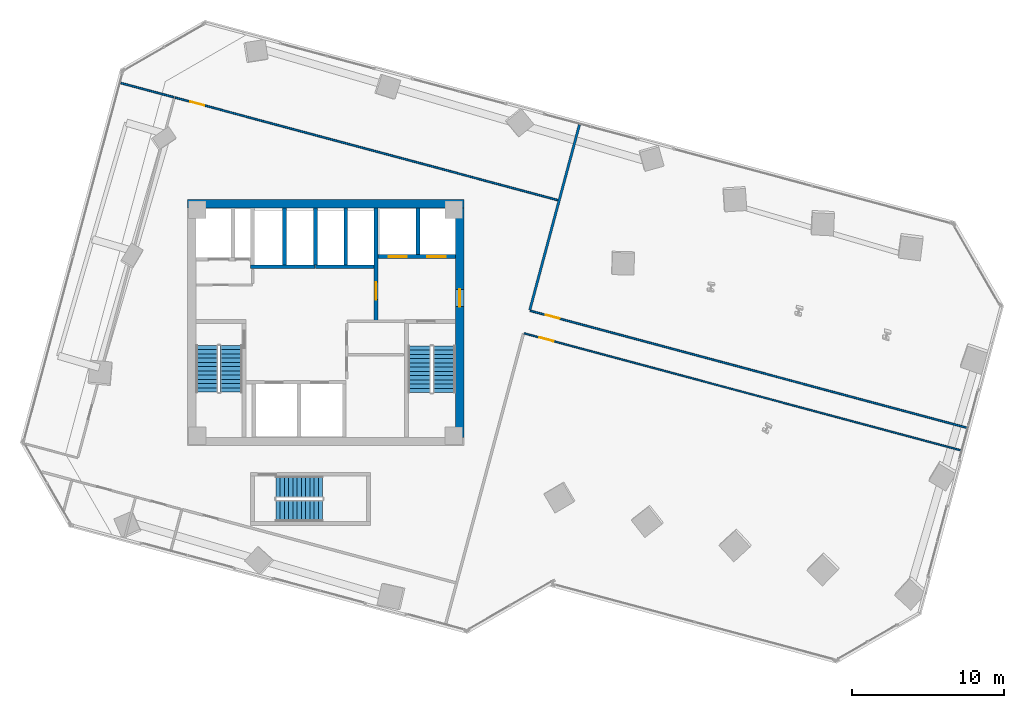
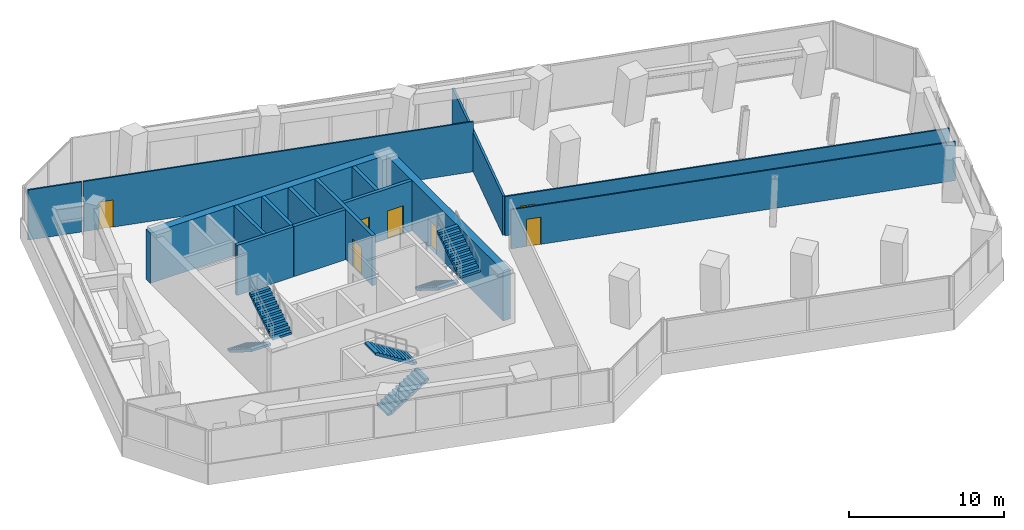
# One storey, part 21 of 26: 15 walls, 7 doors, 6 stair flights, 7 openings, 3 elements without a shape of their own.
"""IFC4 building model written with IfcOpenShell, lengths in metres."""

from ifc_helpers import new_model, si_unit, direction, frame, frame_2d, origin, place, context, subcontext, project, spatial, polyline, rectangle, outline, extrude, source, transform, mapped, material, layer, layer_set, type_object, element, fill, aggregate, save


model = new_model("IFC4")

# Units and contexts
model_context = context("Model", 3, precision=1e-05, world=origin(), true_north=direction((0.0, 1.0)))
body_context = subcontext(model_context, "Body", "Model", "MODEL_VIEW")
ifc_project = project(units=[si_unit("LENGTHUNIT", "METRE"), si_unit("AREAUNIT", "SQUARE_METRE"), si_unit("VOLUMEUNIT", "CUBIC_METRE"), si_unit("PLANEANGLEUNIT", "RADIAN"), si_unit("MASSUNIT", "GRAM", prefix="KILO")], contexts=[model_context])

# Site, building, storey
site_placement = place(None, origin())
site = spatial("IfcSite", under=ifc_project, at=site_placement, CompositionType="ELEMENT")
building_placement = place(site_placement, origin())
building = spatial("IfcBuilding", under=site, at=building_placement, Name="Torre Montelarca", CompositionType="ELEMENT")
storey_placement = place(building_placement, frame((0.0, 0.0, 104.199951171875)))
storey = spatial("IfcBuildingStorey", under=building, at=storey_placement, Name="L23", CompositionType="ELEMENT", Elevation=104.199951171875)

# Wall, opening, door
ifc_material_1 = material(Name="Concrete C40/50", Category="concrete")
ifc_layer_1 = layer(ifc_material_1, 0.25, Name="Concrete C40/50", Category="concrete")
ifc_layer_set_1 = layer_set([ifc_layer_1], Name="Concrete C40/50")
wall_type_1 = type_object("IfcWallType", Name="CW-SHAFT-250", PredefinedType="SHEAR", material=ifc_layer_set_1)
wall_1_placement = place(storey_placement, frame((21.320068359375, 32.1201171875, 0.0), z_axis=(0.0, 0.0, 1.0), x_axis=(0.0, 1.0, 0.0)))
wall_1 = element("IfcWall", 1, at=wall_1_placement, inside=storey, type_object=wall_type_1, Name="L23 Core Shear Wall SH-FFL-W", PredefinedType="SHEAR", context=body_context, shape_type="SweptSolid", body=[
    extrude(rectangle(XDim=7.419921875, YDim=0.25, at=frame_2d((3.7099609375, 0.0))), origin(), (0.0, 0.0, 1.0), 3.9599609375),
])
opening_1_placement = place(wall_1_placement, frame((1.39990234375, 0.0, 0.0)))
opening_1 = element("IfcOpeningElement", 2, at=opening_1_placement, cuts=wall_1, Name="Opening FD-LB1", PredefinedType="OPENING", context=body_context, shape_type="SweptSolid", body=[
    extrude(rectangle(XDim=1.14990234375, YDim=2.199951171875, at=frame_2d((0.574951171875, 1.10009765625))), frame((0.0, 0.135009765625, 0.0), z_axis=(0.0, -1.0, 0.0), x_axis=(1.0, 0.0, 0.0)), (0.0, 0.0, 1.0), 0.27001953125),
])
ifc_material_2 = material(Name="Acoustic timber-veneered fire door", Category="wood")
door_type_1 = type_object("IfcDoorType", Name="DR-LOBBY-115", OperationType="NOTDEFINED", PredefinedType="DOOR", material=ifc_material_2)
shared_shape_1 = source(origin(), body_context, "Body", "SweptSolid", [
    extrude(rectangle(XDim=1.14990234375, YDim=2.199951171875, at=frame_2d((0.574951171875, 1.10009765625))), frame((0.0, 0.02490234375, 0.0), z_axis=(0.0, -1.0, 0.0), x_axis=(1.0, 0.0, 0.0)), (0.0, 0.0, 1.0), 0.050048828125),
])
door_1_placement = place(opening_1_placement, origin())
door_1 = element("IfcDoor", 3, at=door_1_placement, inside=storey, type_object=door_type_1, Name="L23 Lift Lobby to Firefighting Lobby Smoke Door", OperationType="SINGLE_SWING_LEFT", OverallHeight=2.199951171875, OverallWidth=1.14990234375, PredefinedType="DOOR", context=body_context, shape_type="MappedRepresentation", body=[
    mapped(shared_shape_1, transform((0.0, 0.0, 0.0), scale=1.0)),
])
fill(opening_1, door_1)

# Wall, openings, doors
wall_2_placement = place(storey_placement, frame((21.449951171875, 36.35009765625, 0.0), z_axis=(0.0, 0.0, 1.0), x_axis=(1.0, 0.0, 0.0)))
wall_2 = element("IfcWall", 4, at=wall_2_placement, inside=storey, type_object=wall_type_1, Name="L23 Core Shear Wall SH-FF-S", PredefinedType="SHEAR", context=body_context, shape_type="SweptSolid", body=[
    extrude(rectangle(XDim=5.090087890625, YDim=0.25, at=frame_2d((2.544921875, 0.0))), origin(), (0.0, 0.0, 1.0), 3.9599609375),
])
opening_2_placement = place(wall_2_placement, frame((0.699951171875, 0.0, 0.0)))
opening_2 = element("IfcOpeningElement", 5, at=opening_2_placement, cuts=wall_2, Name="Opening LD-120", PredefinedType="OPENING", context=body_context, shape_type="SweptSolid", body=[
    extrude(rectangle(XDim=1.199951171875, YDim=2.199951171875, at=frame_2d((0.60009765625, 1.10009765625))), frame((0.0, 0.135009765625, 0.0), z_axis=(0.0, -1.0, 0.0), x_axis=(1.0, 0.0, 0.0)), (0.0, 0.0, 1.0), 0.27001953125),
])
opening_3_placement = place(wall_2_placement, frame((3.25, 0.0, 0.0)))
opening_3 = element("IfcOpeningElement", 6, at=opening_3_placement, cuts=wall_2, Name="Opening LD-120", PredefinedType="OPENING", context=body_context, shape_type="SweptSolid", body=[
    extrude(rectangle(XDim=1.199951171875, YDim=2.199951171875, at=frame_2d((0.60009765625, 1.10009765625))), frame((0.0, 0.135009765625, 0.0), z_axis=(0.0, -1.0, 0.0), x_axis=(1.0, 0.0, 0.0)), (0.0, 0.0, 1.0), 0.27001953125),
])
ifc_material_3 = material(Name="Brushed stainless steel AISI 316", Category="steel")
door_type_2 = type_object("IfcDoorType", Name="DR-LIFT-120", OperationType="SLIDING_TO_RIGHT", PredefinedType="DOOR", material=ifc_material_3)
shared_shape_2 = source(origin(), body_context, "Body", "SweptSolid", [
    extrude(rectangle(XDim=1.199951171875, YDim=2.199951171875, at=frame_2d((0.60009765625, 1.10009765625))), frame((0.0, 0.02490234375, 0.0), z_axis=(0.0, -1.0, 0.0), x_axis=(1.0, 0.0, 0.0)), (0.0, 0.0, 1.0), 0.050048828125),
])
door_2_placement = place(opening_2_placement, origin())
door_2 = element("IfcDoor", 7, at=door_2_placement, inside=storey, type_object=door_type_2, Name="L23 Lift Landing Sliding Door FF-1", OperationType="SLIDING_TO_LEFT", OverallHeight=2.199951171875, OverallWidth=1.199951171875, PredefinedType="DOOR", context=body_context, shape_type="MappedRepresentation", body=[
    mapped(shared_shape_2, transform((0.0, 0.0, 0.0), scale=1.0)),
])
fill(opening_2, door_2)
door_3_placement = place(opening_3_placement, origin())
door_3 = element("IfcDoor", 8, at=door_3_placement, inside=storey, type_object=door_type_2, Name="L23 Lift Landing Sliding Door FF-2", OperationType="SLIDING_TO_RIGHT", OverallHeight=2.199951171875, OverallWidth=1.199951171875, PredefinedType="DOOR", context=body_context, shape_type="MappedRepresentation", body=[
    mapped(shared_shape_2, transform((0.0, 0.0, 0.0), scale=1.0)),
])
fill(opening_3, door_3)

# Walls
wall_3_placement = place(storey_placement, frame((24.080078125, 36.47998046875, 0.0), z_axis=(0.0, 0.0, 1.0), x_axis=(0.0, 1.0, 0.0)))
element("IfcWall", 9, at=wall_3_placement, inside=storey, type_object=wall_type_1, Name="L23 Core Shear Wall SH-FF-M", PredefinedType="SHEAR", context=body_context, shape_type="SweptSolid", body=[
    extrude(rectangle(XDim=3.06005859375, YDim=0.25, at=frame_2d((1.530029296875, 0.0))), origin(), (0.0, 0.0, 1.0), 3.9599609375),
])
wall_4_placement = place(storey_placement, frame((13.06005859375, 35.679931640625, 0.0), z_axis=(0.0, 0.0, 1.0), x_axis=(1.0, 0.0, 0.0)))
element("IfcWall", 10, at=wall_4_placement, inside=storey, type_object=wall_type_1, Name="L23 Core Shear Wall SH-PLM-S", PredefinedType="SHEAR", context=body_context, shape_type="SweptSolid", body=[
    extrude(rectangle(XDim=4.25, YDim=0.25, at=frame_2d((2.125, 0.0))), origin(), (0.0, 0.0, 1.0), 3.9599609375),
])
wall_5_placement = place(storey_placement, frame((15.280029296875, 35.81005859375, 0.0), z_axis=(0.0, 0.0, 1.0), x_axis=(0.0, 1.0, 0.0)))
element("IfcWall", 11, at=wall_5_placement, inside=storey, type_object=wall_type_1, Name="L23 Core Shear Wall SH-PLM-M", PredefinedType="SHEAR", context=body_context, shape_type="SweptSolid", body=[
    extrude(rectangle(XDim=3.72998046875, YDim=0.25, at=frame_2d((1.864990234375, 0.0))), origin(), (0.0, 0.0, 1.0), 3.9599609375),
])
wall_6_placement = place(storey_placement, frame((17.320068359375, 35.679931640625, 0.0), z_axis=(0.0, 0.0, 1.0), x_axis=(1.0, 0.0, 0.0)))
element("IfcWall", 12, at=wall_6_placement, inside=storey, type_object=wall_type_1, Name="L23 Core Shear Wall SH-PLH-S", PredefinedType="SHEAR", context=body_context, shape_type="SweptSolid", body=[
    extrude(rectangle(XDim=3.869873046875, YDim=0.25, at=frame_2d((1.93505859375, 0.0))), origin(), (0.0, 0.0, 1.0), 3.9599609375),
])
for number, where, z_axis, x_axis, name in (
    (13, (17.320068359375, 35.81005859375, 0.0), (0.0, 0.0, 1.0), (0.0, 1.0, 0.0), "L23 Core Shear Wall SH-PLH-W"),
    (14, (19.320068359375, 35.81005859375, 0.0), (0.0, 0.0, 1.0), (0.0, 1.0, 0.0), "L23 Core Shear Wall SH-PLH-M"),
):
    element("IfcWall", number, at=place(storey_placement, frame(where, z_axis=z_axis, x_axis=x_axis)), inside=storey, type_object=wall_type_1, Name=name, PredefinedType="SHEAR", context=body_context, shape_type="SweptSolid", body=[
        extrude(rectangle(XDim=3.72998046875, YDim=0.25, at=frame_2d((1.864990234375, 0.0))), origin(), (0.0, 0.0, 1.0), 3.9599609375),
    ])

# Wall, opening, door
ifc_material_4 = material(Name="Concrete C70/85", Category="concrete")
ifc_layer_2 = layer(ifc_material_4, 0.550048828125, Name="Concrete C70/85", Category="concrete")
ifc_layer_set_2 = layer_set([ifc_layer_2], Name="Concrete C70/85")
wall_type_2 = type_object("IfcWallType", Name="CW-SHEAR-550", PredefinedType="SHEAR", material=ifc_layer_set_2)
wall_7_placement = place(storey_placement, frame((26.824951171875, 24.449951171875, 0.0), z_axis=(0.0, 0.0, 1.0), x_axis=(0.0, 1.0, 0.0)))
wall_7 = element("IfcWall", 15, at=wall_7_placement, inside=storey, type_object=wall_type_2, Name="L23 Core Shear Wall CW-E", PredefinedType="SHEAR", context=body_context, shape_type="SweptSolid", body=[
    extrude(rectangle(XDim=15.10009765625, YDim=0.550048828125, at=frame_2d((7.550048828125, 0.0))), origin(), (0.0, 0.0, 1.0), 3.9599609375),
])
opening_4_placement = place(wall_7_placement, frame((8.60009765625, 0.0, 0.0)))
opening_4 = element("IfcOpeningElement", 16, at=opening_4_placement, cuts=wall_7, Name="Opening FD-LB1", PredefinedType="OPENING", context=body_context, shape_type="SweptSolid", body=[
    extrude(rectangle(XDim=1.14990234375, YDim=2.199951171875, at=frame_2d((0.574951171875, 1.10009765625))), frame((0.0, 0.28515625, 0.0), z_axis=(0.0, -1.0, 0.0), x_axis=(1.0, 0.0, 0.0)), (0.0, 0.0, 1.0), 0.570068359375),
])
door_4_placement = place(opening_4_placement, origin())
door_4 = element("IfcDoor", 17, at=door_4_placement, inside=storey, type_object=door_type_1, Name="L23 Firefighting Lift Lobby Corridor Fire Door", OperationType="SINGLE_SWING_RIGHT", OverallHeight=2.199951171875, OverallWidth=1.14990234375, PredefinedType="DOOR", context=body_context, shape_type="MappedRepresentation", body=[
    mapped(shared_shape_1, transform((0.0, 0.0, 0.0), scale=1.0)),
])
fill(opening_4, door_4)

# Walls
wall_8_placement = place(storey_placement, frame((8.89990234375, 39.824951171875, 0.0), z_axis=(0.0, 0.0, 1.0), x_axis=(1.0, 0.0, 0.0)))
element("IfcWall", 18, at=wall_8_placement, inside=storey, type_object=wall_type_2, Name="L23 Core Shear Wall CW-N1", PredefinedType="SHEAR", context=body_context, shape_type="SweptSolid", body=[
    extrude(rectangle(XDim=18.2001953125, YDim=0.550048828125, at=frame_2d((9.10009765625, 0.0))), origin(), (0.0, 0.0, 1.0), 3.9599609375),
])
ifc_material_5 = material(Name="Gypsum plasterboard on steel stud", Category="steel")
ifc_layer_3 = layer(ifc_material_5, 0.159912109375, Name="Gypsum plasterboard on steel stud", Category="steel")
ifc_layer_set_3 = layer_set([ifc_layer_3], Name="Gypsum plasterboard on steel stud")
wall_type_3 = type_object("IfcWallType", Name="PW-FIRE-160", PredefinedType="PARTITIONING", material=ifc_layer_set_3)
wall_9_placement = place(storey_placement, frame((31.44482421875, 32.83447265625, 0.0), z_axis=(0.0, 0.0, 1.0), x_axis=(0.258816538161, 0.965926498018, 0.0)))
element("IfcWall", 19, at=wall_9_placement, inside=storey, type_object=wall_type_3, Name="L23 Interior Partition W-L23-ECN", PredefinedType="PARTITIONING", context=body_context, shape_type="SweptSolid", body=[
    extrude(rectangle(XDim=12.64013671875, YDim=0.159912109375, at=frame_2d((6.320068359375, 0.0))), origin(), (0.0, 0.0, 1.0), 3.094970703125),
])

# Wall, opening, door
ifc_material_6 = material(Name="Acoustic laminated glass partition", Category="glass")
ifc_layer_4 = layer(ifc_material_6, 0.10009765625, Name="Acoustic laminated glass partition", Category="glass")
ifc_layer_set_4 = layer_set([ifc_layer_4], Name="Acoustic laminated glass partition")
wall_type_4 = type_object("IfcWallType", Name="PW-GLAZ-100", PredefinedType="PARTITIONING", material=ifc_layer_set_4)
wall_10_placement = place(storey_placement, frame((31.074462890625, 31.298095703125, 0.0), z_axis=(0.0, 0.0, 1.0), x_axis=(0.96592643206, -0.258816784325, 0.0)))
wall_10 = element("IfcWall", 20, at=wall_10_placement, inside=storey, type_object=wall_type_4, Name="L23 Interior Partition W-L23-SE-N", PredefinedType="PARTITIONING", context=body_context, shape_type="SweptSolid", body=[
    extrude(rectangle(XDim=29.790283203125, YDim=0.10009765625, at=frame_2d((14.89501953125, 0.0))), origin(), (0.0, 0.0, 1.0), 3.094970703125),
])
opening_5_placement = place(wall_10_placement, frame((1.050048828125, 0.0, 0.0)))
opening_5 = element("IfcOpeningElement", 21, at=opening_5_placement, cuts=wall_10, Name="Opening ID-095", PredefinedType="OPENING", context=body_context, shape_type="SweptSolid", body=[
    extrude(rectangle(XDim=0.949951171875, YDim=2.14990234375, at=frame_2d((0.47509765625, 1.074951171875))), frame((0.0, 0.06005859375, 0.0), z_axis=(0.0, -1.0, 0.0), x_axis=(1.0, 0.0, 0.0)), (0.0, 0.0, 1.0), 0.1201171875),
])
ifc_material_7 = material(Name="Hardwood acoustic timber veneer", Category="wood")
door_type_3 = type_object("IfcDoorType", Name="DR-INT-095", OperationType="NOTDEFINED", PredefinedType="DOOR", material=ifc_material_7)
shared_shape_3 = source(origin(), body_context, "Body", "SweptSolid", [
    extrude(rectangle(XDim=0.949951171875, YDim=2.14990234375, at=frame_2d((0.47509765625, 1.074951171875))), frame((0.0, 0.02490234375, 0.0), z_axis=(0.0, -1.0, 0.0), x_axis=(1.0, 0.0, 0.0)), (0.0, 0.0, 1.0), 0.050048828125),
])
door_5_placement = place(opening_5_placement, origin())
door_5 = element("IfcDoor", 22, at=door_5_placement, inside=storey, type_object=door_type_3, Name="L23 Interior Door 10", OperationType="SINGLE_SWING_LEFT", OverallHeight=2.14990234375, OverallWidth=0.949951171875, PredefinedType="DOOR", context=body_context, shape_type="MappedRepresentation", body=[
    mapped(shared_shape_3, transform((0.0, 0.0, 0.0), scale=1.0)),
])
fill(opening_5, door_5)

ifc_layer_5 = layer(ifc_material_5, 0.114990234375, Name="Gypsum plasterboard on steel stud", Category="steel")
ifc_layer_set_5 = layer_set([ifc_layer_5], Name="Gypsum plasterboard on steel stud")
wall_type_5 = type_object("IfcWallType", Name="PW-PART-115", PredefinedType="PARTITIONING", material=ifc_layer_set_5)
wall_11_placement = place(storey_placement, frame((8.07080078125, 46.8310546875, 0.0), z_axis=(0.0, 0.0, 1.0), x_axis=(0.965925848141, -0.258818963551, 0.0)))
wall_11 = element("IfcWall", 23, at=wall_11_placement, inside=storey, type_object=wall_type_5, Name="L23 Interior Partition W-L23-NBOT", PredefinedType="PARTITIONING", context=body_context, shape_type="SweptSolid", body=[
    extrude(rectangle(XDim=26.16015625, YDim=0.114990234375, at=frame_2d((13.080078125, 0.0))), origin(), (0.0, 0.0, 1.0), 3.9599609375),
])
opening_6_placement = place(wall_11_placement, frame((1.050048828125, 0.0, 0.0)))
opening_6 = element("IfcOpeningElement", 24, at=opening_6_placement, cuts=wall_11, Name="Opening ID-095", PredefinedType="OPENING", context=body_context, shape_type="SweptSolid", body=[
    extrude(rectangle(XDim=0.949951171875, YDim=2.14990234375, at=frame_2d((0.47509765625, 1.074951171875))), frame((0.0, 0.0673828125, 0.0), z_axis=(0.0, -1.0, 0.0), x_axis=(1.0, 0.0, 0.0)), (0.0, 0.0, 1.0), 0.135009765625),
])
door_6_placement = place(opening_6_placement, origin())
door_6 = element("IfcDoor", 25, at=door_6_placement, inside=storey, type_object=door_type_3, Name="L23 Interior Door 07", OperationType="SINGLE_SWING_LEFT", OverallHeight=2.14990234375, OverallWidth=0.949951171875, PredefinedType="DOOR", context=body_context, shape_type="MappedRepresentation", body=[
    mapped(shared_shape_3, transform((0.0, 0.0, 0.0), scale=1.0)),
])
fill(opening_6, door_6)

# Wall
wall_12_placement = place(storey_placement, frame((4.4873046875, 47.791259765625, 0.0), z_axis=(0.0, 0.0, 1.0), x_axis=(0.965930639999, -0.258801079426, 0.0)))
element("IfcWall", 26, at=wall_12_placement, inside=storey, type_object=wall_type_5, Name="L23 Interior Partition W-L23-WWGN", PredefinedType="PARTITIONING", context=body_context, shape_type="SweptSolid", body=[
    extrude(rectangle(XDim=3.630126953125, YDim=0.114990234375, at=frame_2d((1.81494140625, 0.0))), origin(), (0.0, 0.0, 1.0), 3.9599609375),
])

# Wall, opening, door
wall_13_placement = place(storey_placement, frame((31.47314453125, 32.785400390625, 0.0), z_axis=(0.0, 0.0, 1.0), x_axis=(0.965927931901, -0.258811186722, 0.0)))
wall_13 = element("IfcWall", 27, at=wall_13_placement, inside=storey, type_object=wall_type_5, Name="L23 Interior Partition W-L23-NE-S", PredefinedType="PARTITIONING", context=body_context, shape_type="SweptSolid", body=[
    extrude(rectangle(XDim=29.789794921875, YDim=0.114990234375, at=frame_2d((14.89501953125, 0.0))), origin(), (0.0, 0.0, 1.0), 3.094970703125),
])
opening_7_placement = place(wall_13_placement, frame((1.050048828125, 0.0, 0.0)))
opening_7 = element("IfcOpeningElement", 28, at=opening_7_placement, cuts=wall_13, Name="Opening ID-095", PredefinedType="OPENING", context=body_context, shape_type="SweptSolid", body=[
    extrude(rectangle(XDim=0.949951171875, YDim=2.14990234375, at=frame_2d((0.47509765625, 1.074951171875))), frame((0.0, 0.0673828125, 0.0), z_axis=(0.0, -1.0, 0.0), x_axis=(1.0, 0.0, 0.0)), (0.0, 0.0, 1.0), 0.135009765625),
])
door_7_placement = place(opening_7_placement, origin())
door_7 = element("IfcDoor", 29, at=door_7_placement, inside=storey, type_object=door_type_3, Name="L23 Interior Door 09", OperationType="SINGLE_SWING_LEFT", OverallHeight=2.14990234375, OverallWidth=0.949951171875, PredefinedType="DOOR", context=body_context, shape_type="MappedRepresentation", body=[
    mapped(shared_shape_3, transform((0.0, 0.0, 0.0), scale=1.0)),
])
fill(opening_7, door_7)

# Stair, stair flights
stair_type_1 = type_object("IfcStairType", Name="ST-CORE-ST1", PredefinedType="HALF_TURN_STAIR", material=ifc_material_1)
stair_1_placement = place(storey_placement, origin())
stair_1 = element("IfcStair", 30, at=stair_1_placement, inside=storey, type_object=stair_type_1, Name="L23 Protected Exit Stair ST1", PredefinedType="HALF_TURN_STAIR")
stair_flight_type_1 = type_object("IfcStairFlightType", Name="SFL-CORE-ST1", PredefinedType="STRAIGHT", material=ifc_material_1)
stair_flight_1_placement = place(storey_placement, frame((10.175048828125, 30.5, 0.0), z_axis=(0.0, 0.0, 1.0), x_axis=(0.0, -1.0, 0.0)))
stair_flight_1 = element("IfcStairFlight", 31, at=stair_flight_1_placement, type_object=stair_flight_type_1, Name="ST1 flight 1", NumberOfRisers=12, NumberOfTreads=11, PredefinedType="STRAIGHT", RiserHeight=0.175, TreadLength=0.28, context=body_context, shape_type="SweptSolid", body=[
    extrude(outline(polyline([(0.0, 0.0), (0.0, 0.175048828125), (0.280029296875, 0.175048828125), (0.280029296875, 0.35009765625), (0.56005859375, 0.35009765625), (0.56005859375, 0.52490234375), (0.840087890625, 0.52490234375), (0.840087890625, 0.699951171875), (1.1201171875, 0.699951171875), (1.1201171875, 0.875), (1.39990234375, 0.875), (1.39990234375, 1.050048828125), (1.679931640625, 1.050048828125), (1.679931640625, 1.22509765625), (1.9599609375, 1.22509765625), (1.9599609375, 1.39990234375), (2.239990234375, 1.39990234375), (2.239990234375, 1.574951171875), (2.52001953125, 1.574951171875), (2.52001953125, 1.75), (2.800048828125, 1.75), (2.800048828125, 1.925048828125), (3.080078125, 1.925048828125), (3.080078125, 2.10009765625), (3.080078125, 1.748291015625), (0.28271484375, 0.0), (0.0, 0.0)])), frame((0.0, 0.72509765625, 0.0), z_axis=(0.0, -1.0, 0.0), x_axis=(1.0, 0.0, 0.0)), (0.0, 0.0, 1.0), 1.449951171875),
])
stair_flight_2_placement = place(storey_placement, frame((11.77490234375, 27.419921875, 2.10009765625), z_axis=(0.0, 0.0, 1.0), x_axis=(0.0, 1.0, 0.0)))
stair_flight_2 = element("IfcStairFlight", 32, at=stair_flight_2_placement, type_object=stair_flight_type_1, Name="ST1 flight 2", NumberOfRisers=12, NumberOfTreads=11, PredefinedType="STRAIGHT", RiserHeight=0.175, TreadLength=0.28, context=body_context, shape_type="SweptSolid", body=[
    extrude(outline(polyline([(0.0, 0.0), (0.0, 0.175048828125), (0.280029296875, 0.175048828125), (0.280029296875, 0.35009765625), (0.56005859375, 0.35009765625), (0.56005859375, 0.52490234375), (0.840087890625, 0.52490234375), (0.840087890625, 0.699951171875), (1.1201171875, 0.699951171875), (1.1201171875, 0.875), (1.39990234375, 0.875), (1.39990234375, 1.050048828125), (1.679931640625, 1.050048828125), (1.679931640625, 1.22509765625), (1.9599609375, 1.22509765625), (1.9599609375, 1.39990234375), (2.239990234375, 1.39990234375), (2.239990234375, 1.574951171875), (2.52001953125, 1.574951171875), (2.52001953125, 1.75), (2.800048828125, 1.75), (2.800048828125, 1.925048828125), (3.080078125, 1.925048828125), (3.080078125, 2.10009765625), (3.080078125, 1.748291015625), (0.28271484375, 0.0), (0.0, 0.0)])), frame((0.0, 0.72509765625, 0.0), z_axis=(0.0, -1.0, 0.0), x_axis=(1.0, 0.0, 0.0)), (0.0, 0.0, 1.0), 1.449951171875),
])
aggregate(stair_1, [stair_flight_1, stair_flight_2])

stair_type_2 = type_object("IfcStairType", Name="ST-CORE-ST2", PredefinedType="HALF_TURN_STAIR", material=ifc_material_1)
stair_2_placement = place(storey_placement, origin())
stair_2 = element("IfcStair", 33, at=stair_2_placement, inside=storey, type_object=stair_type_2, Name="L23 Protected Exit Stair ST2", PredefinedType="HALF_TURN_STAIR")
stair_flight_type_2 = type_object("IfcStairFlightType", Name="SFL-CORE-ST2", PredefinedType="STRAIGHT", material=ifc_material_1)
stair_flight_3_placement = place(storey_placement, frame((24.179931640625, 30.469970703125, 0.0), z_axis=(0.0, 0.0, 1.0), x_axis=(0.0, -1.0, 0.0)))
stair_flight_3 = element("IfcStairFlight", 34, at=stair_flight_3_placement, type_object=stair_flight_type_2, Name="ST2 flight 1", NumberOfRisers=12, NumberOfTreads=11, PredefinedType="STRAIGHT", RiserHeight=0.175, TreadLength=0.28, context=body_context, shape_type="SweptSolid", body=[
    extrude(outline(polyline([(0.0, 0.0), (0.0, 0.175048828125), (0.280029296875, 0.175048828125), (0.280029296875, 0.35009765625), (0.56005859375, 0.35009765625), (0.56005859375, 0.52490234375), (0.840087890625, 0.52490234375), (0.840087890625, 0.699951171875), (1.1201171875, 0.699951171875), (1.1201171875, 0.875), (1.39990234375, 0.875), (1.39990234375, 1.050048828125), (1.679931640625, 1.050048828125), (1.679931640625, 1.22509765625), (1.9599609375, 1.22509765625), (1.9599609375, 1.39990234375), (2.239990234375, 1.39990234375), (2.239990234375, 1.574951171875), (2.52001953125, 1.574951171875), (2.52001953125, 1.75), (2.800048828125, 1.75), (2.800048828125, 1.925048828125), (3.080078125, 1.925048828125), (3.080078125, 2.10009765625), (3.080078125, 1.748291015625), (0.28271484375, 0.0), (0.0, 0.0)])), frame((0.0, 0.739990234375, 0.0), z_axis=(0.0, -1.0, 0.0), x_axis=(1.0, 0.0, 0.0)), (0.0, 0.0, 1.0), 1.47998046875),
])
stair_flight_4_placement = place(storey_placement, frame((25.81005859375, 27.389892578125, 2.10009765625), z_axis=(0.0, 0.0, 1.0), x_axis=(0.0, 1.0, 0.0)))
stair_flight_4 = element("IfcStairFlight", 35, at=stair_flight_4_placement, type_object=stair_flight_type_2, Name="ST2 flight 2", NumberOfRisers=12, NumberOfTreads=11, PredefinedType="STRAIGHT", RiserHeight=0.175, TreadLength=0.28, context=body_context, shape_type="SweptSolid", body=[
    extrude(outline(polyline([(0.0, 0.0), (0.0, 0.175048828125), (0.280029296875, 0.175048828125), (0.280029296875, 0.35009765625), (0.56005859375, 0.35009765625), (0.56005859375, 0.52490234375), (0.840087890625, 0.52490234375), (0.840087890625, 0.699951171875), (1.1201171875, 0.699951171875), (1.1201171875, 0.875), (1.39990234375, 0.875), (1.39990234375, 1.050048828125), (1.679931640625, 1.050048828125), (1.679931640625, 1.22509765625), (1.9599609375, 1.22509765625), (1.9599609375, 1.39990234375), (2.239990234375, 1.39990234375), (2.239990234375, 1.574951171875), (2.52001953125, 1.574951171875), (2.52001953125, 1.75), (2.800048828125, 1.75), (2.800048828125, 1.925048828125), (3.080078125, 1.925048828125), (3.080078125, 2.10009765625), (3.080078125, 1.748291015625), (0.28271484375, 0.0), (0.0, 0.0)])), frame((0.0, 0.739990234375, 0.0), z_axis=(0.0, -1.0, 0.0), x_axis=(1.0, 0.0, 0.0)), (0.0, 0.0, 1.0), 1.47998046875),
])
aggregate(stair_2, [stair_flight_3, stair_flight_4])

stair_type_3 = type_object("IfcStairType", Name="ST-CORE-ST3", PredefinedType="HALF_TURN_STAIR", material=ifc_material_1)
stair_3_placement = place(storey_placement, origin())
stair_3 = element("IfcStair", 36, at=stair_3_placement, inside=storey, type_object=stair_type_3, Name="L23 Low-Rise Exit Stair ST3", PredefinedType="HALF_TURN_STAIR")
stair_flight_type_3 = type_object("IfcStairFlightType", Name="SFL-CORE-ST3", PredefinedType="STRAIGHT", material=ifc_material_1)
stair_flight_5_placement = place(storey_placement, frame((14.719970703125, 19.610107421875, 0.0), z_axis=(0.0, 0.0, 1.0), x_axis=(1.0, 0.0, 0.0)))
stair_flight_5 = element("IfcStairFlight", 37, at=stair_flight_5_placement, type_object=stair_flight_type_3, Name="ST3 flight 1", NumberOfRisers=12, NumberOfTreads=11, PredefinedType="STRAIGHT", RiserHeight=0.175, TreadLength=0.28, context=body_context, shape_type="SweptSolid", body=[
    extrude(outline(polyline([(0.0, 0.0), (0.0, 0.175048828125), (0.280029296875, 0.175048828125), (0.280029296875, 0.35009765625), (0.56005859375, 0.35009765625), (0.56005859375, 0.52490234375), (0.840087890625, 0.52490234375), (0.840087890625, 0.699951171875), (1.1201171875, 0.699951171875), (1.1201171875, 0.875), (1.39990234375, 0.875), (1.39990234375, 1.050048828125), (1.679931640625, 1.050048828125), (1.679931640625, 1.22509765625), (1.9599609375, 1.22509765625), (1.9599609375, 1.39990234375), (2.239990234375, 1.39990234375), (2.239990234375, 1.574951171875), (2.52001953125, 1.574951171875), (2.52001953125, 1.75), (2.800048828125, 1.75), (2.800048828125, 1.925048828125), (3.080078125, 1.925048828125), (3.080078125, 2.10009765625), (3.080078125, 1.748291015625), (0.28271484375, 0.0), (0.0, 0.0)])), frame((0.0, 0.7099609375, 0.0), z_axis=(0.0, -1.0, 0.0), x_axis=(1.0, 0.0, 0.0)), (0.0, 0.0, 1.0), 1.419921875),
])
stair_flight_6_placement = place(storey_placement, frame((17.800048828125, 21.179931640625, 2.10009765625), z_axis=(0.0, 0.0, 1.0), x_axis=(-1.0, 0.0, 0.0)))
stair_flight_6 = element("IfcStairFlight", 38, at=stair_flight_6_placement, type_object=stair_flight_type_3, Name="ST3 flight 2", NumberOfRisers=12, NumberOfTreads=11, PredefinedType="STRAIGHT", RiserHeight=0.175, TreadLength=0.28, context=body_context, shape_type="SweptSolid", body=[
    extrude(outline(polyline([(0.0, 0.0), (0.0, 0.175048828125), (0.280029296875, 0.175048828125), (0.280029296875, 0.35009765625), (0.56005859375, 0.35009765625), (0.56005859375, 0.52490234375), (0.840087890625, 0.52490234375), (0.840087890625, 0.699951171875), (1.1201171875, 0.699951171875), (1.1201171875, 0.875), (1.39990234375, 0.875), (1.39990234375, 1.050048828125), (1.679931640625, 1.050048828125), (1.679931640625, 1.22509765625), (1.9599609375, 1.22509765625), (1.9599609375, 1.39990234375), (2.239990234375, 1.39990234375), (2.239990234375, 1.574951171875), (2.52001953125, 1.574951171875), (2.52001953125, 1.75), (2.800048828125, 1.75), (2.800048828125, 1.925048828125), (3.080078125, 1.925048828125), (3.080078125, 2.10009765625), (3.080078125, 1.748291015625), (0.28271484375, 0.0), (0.0, 0.0)])), frame((0.0, 0.7099609375, 0.0), z_axis=(0.0, -1.0, 0.0), x_axis=(1.0, 0.0, 0.0)), (0.0, 0.0, 1.0), 1.419921875),
])
aggregate(stair_3, [stair_flight_5, stair_flight_6])

save(model, "model.ifc")
